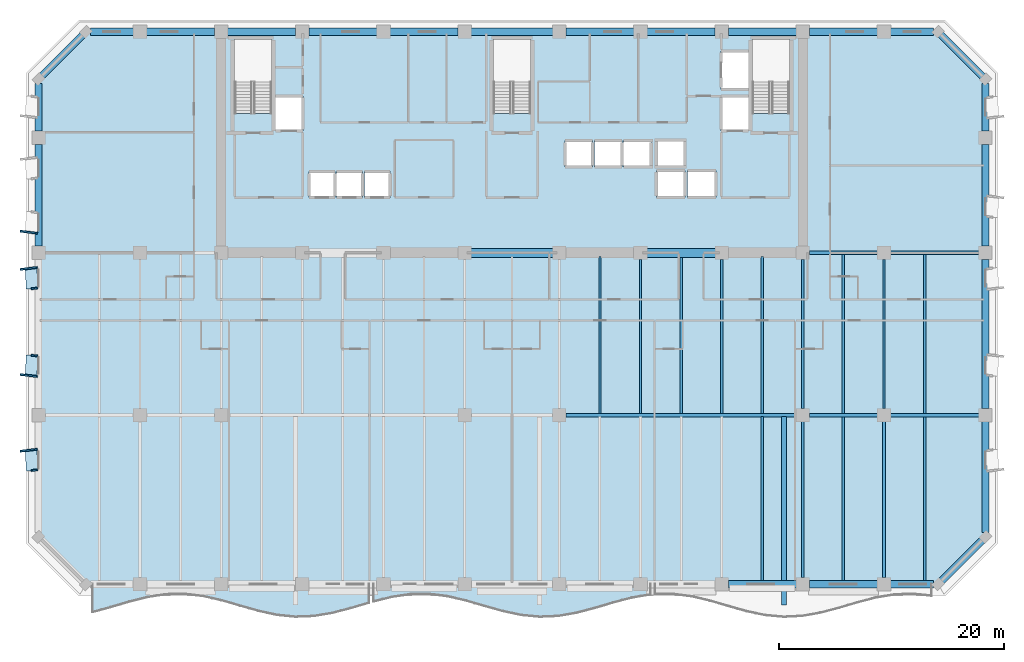
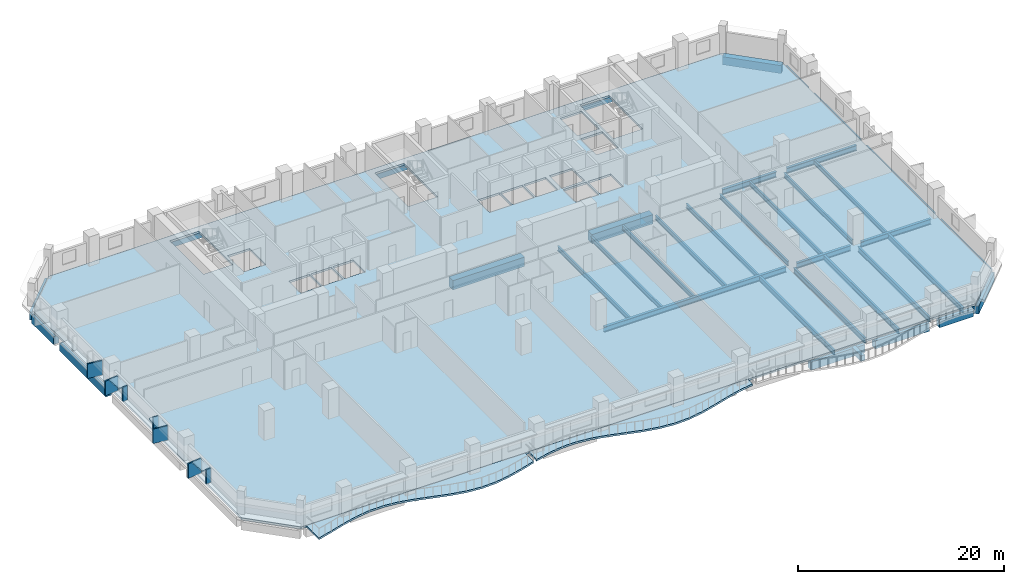
# One storey, part 2 of 15: 45 beams, 10 plates, 3 slabs.
"""IFC4 building model written with IfcOpenShell, lengths in metres."""

import ifcopenshell
import ifcopenshell.guid

model = None  # the IFC model being written
_history = None  # IfcOwnerHistory: only IFC2X3 demands one
_inside = {}  # id of a spatial element -> (the spatial element, [elements in it])
_under = {}  # id of a project, library or spatial element -> (it, [spatial elements below it])
_declared = {}  # id of a project -> (the project, [libraries it declares])
_typed = {}  # id of a type object -> (the type object, [elements of that type])
_made_of = {}  # id of a material, layer set ... -> (it, [elements and type objects made of it])


def new_model(schema):
    """Start an empty IFC model of exactly this schema.

    Asked for "IFC4X3", IfcOpenShell would pick the latest addendum, in which some entities
    have other attributes; the version numbers below select the first issue.
    IFC2X3 requires an IfcOwnerHistory on every rooted entity: one is made here for all.
    """
    global model, _history
    if schema == "IFC4X3":
        model = ifcopenshell.file(schema_version=(4, 3, 0, 0))
    else:
        model = ifcopenshell.file(schema=schema)
    _inside.clear()
    _under.clear()
    _declared.clear()
    _typed.clear()
    _made_of.clear()
    _history = None
    if model.schema == "IFC2X3":
        org = make("IfcOrganization", Name="unknown")
        user = make(
            "IfcPersonAndOrganization",
            ThePerson=make("IfcPerson", FamilyName="unknown"),
            TheOrganization=org,
        )
        app = make(
            "IfcApplication",
            ApplicationDeveloper=org,
            Version="unknown",
            ApplicationFullName="unknown",
            ApplicationIdentifier="unknown",
        )
        _history = make(
            "IfcOwnerHistory",
            OwningUser=user,
            OwningApplication=app,
            ChangeAction="ADDED",
            CreationDate=0,
        )
    return model


def make(cls, **values):
    """One entity of the class cls with the attributes given. An attribute that is None is left unset."""
    return model.create_entity(
        cls, **{name: value for name, value in values.items() if value is not None}
    )


def rooted(cls, **values):
    """An entity with a GlobalId (a new one), such as an element, a storey or a relation."""
    return make(cls, GlobalId=ifcopenshell.guid.new(), OwnerHistory=_history, **values)


def si_unit(unit_type, name, prefix=None):
    """IfcSIUnit, for example si_unit("LENGTHUNIT", "METRE", prefix="MILLI")."""
    return make("IfcSIUnit", UnitType=unit_type, Prefix=prefix, Name=name)


def assignment(units):
    """IfcUnitAssignment: the units of a project."""
    return None if units is None else make("IfcUnitAssignment", Units=units)


def point(xyz):
    """IfcCartesianPoint."""
    return None if xyz is None else make("IfcCartesianPoint", Coordinates=xyz)


def direction(xyz):
    """IfcDirection."""
    return None if xyz is None else make("IfcDirection", DirectionRatios=xyz)


def frame(location, z_axis=None, x_axis=None):
    """IfcAxis2Placement3D, a coordinate frame: its origin and axes. An axis left out is left unset."""
    return make(
        "IfcAxis2Placement3D",
        Location=point(location),
        Axis=direction(z_axis),
        RefDirection=direction(x_axis),
    )


def frame_2d(location, x_axis=None):
    """IfcAxis2Placement2D, a coordinate frame in the plane: its origin and x axis."""
    return make(
        "IfcAxis2Placement2D", Location=point(location), RefDirection=direction(x_axis)
    )


def origin():
    """The frame at (0, 0, 0) with its axes left unset."""
    return frame((0.0, 0.0, 0.0))


def origin_2d():
    """The frame at (0, 0) in the plane with its x axis left unset."""
    return frame_2d((0.0, 0.0))


def place(relative_to, where):
    """IfcLocalPlacement: puts the frame where relative to a parent placement (None: the world)."""
    return make(
        "IfcLocalPlacement", PlacementRelTo=relative_to, RelativePlacement=where
    )


def context(
    kind, dimensions, precision=None, world=None, true_north=None, identifier=None
):
    """IfcGeometricRepresentationContext, for example the 3D "Model" context."""
    return make(
        "IfcGeometricRepresentationContext",
        ContextIdentifier=identifier,
        ContextType=kind,
        CoordinateSpaceDimension=dimensions,
        Precision=precision,
        WorldCoordinateSystem=world,
        TrueNorth=true_north,
    )


def subcontext(parent, identifier, kind, view, scale=None):
    """IfcGeometricRepresentationSubContext, for example "Body" below "Model"."""
    return make(
        "IfcGeometricRepresentationSubContext",
        ContextIdentifier=identifier,
        ContextType=kind,
        ParentContext=parent,
        TargetScale=scale,
        TargetView=view,
    )


def project(units=None, contexts=None):
    """IfcProject with its units and contexts."""
    return rooted(
        "IfcProject",
        Name="project",
        RepresentationContexts=contexts,
        UnitsInContext=assignment(units),
    )


def spatial(cls, under=None, at=None, **own):
    """A site, building, storey or space (cls), placed at a placement, below another one or the project."""
    s = rooted(cls, ObjectPlacement=at, **own)
    if under is not None:
        _under.setdefault(under.id(), (under, []))[1].append(s)
    return s


def polyline(points):
    """IfcPolyline through the points."""
    return make("IfcPolyline", Points=[point(p) for p in points])


def profile(cls, at=None, kind="AREA", **sizes):
    """A parametric profile (cls). Its sizes go by their IFC names, for example OverallWidth=200.0."""
    return make(cls, ProfileType=kind, Position=at, **sizes)


def rectangle(**sizes):
    """IfcRectangleProfileDef."""
    return profile("IfcRectangleProfileDef", **sizes)


def i_section(**sizes):
    """IfcIShapeProfileDef."""
    return profile("IfcIShapeProfileDef", **sizes)


def outline(outer, holes=None, kind="AREA"):
    """IfcArbitraryClosedProfileDef: a profile drawn as a closed curve; with holes, ...WithVoids."""
    if holes is None:
        return make("IfcArbitraryClosedProfileDef", ProfileType=kind, OuterCurve=outer)
    return make(
        "IfcArbitraryProfileDefWithVoids",
        ProfileType=kind,
        OuterCurve=outer,
        InnerCurves=holes,
    )


def extrude(swept, where, along, depth):
    """IfcExtrudedAreaSolid: the profile swept, set in the frame where, extruded along a direction by depth."""
    return make(
        "IfcExtrudedAreaSolid",
        SweptArea=swept,
        Position=where,
        ExtrudedDirection=direction(along),
        Depth=depth,
    )


def shape(context_of_items, identifier, shape_type, items):
    """IfcShapeRepresentation: the items that make up one representation, for example the "Body"."""
    return make(
        "IfcShapeRepresentation",
        ContextOfItems=context_of_items,
        RepresentationIdentifier=identifier,
        RepresentationType=shape_type,
        Items=items,
    )


def material(Name=None, Category=None):
    """IfcMaterial."""
    return make("IfcMaterial", Name=Name, Category=Category)


def layer(
    of_material, thickness, ventilated=None, Name=None, Category=None, Priority=None
):
    """IfcMaterialLayer: one layer of a wall or slab, of a material (None: an air gap)."""
    return make(
        "IfcMaterialLayer",
        Material=of_material,
        LayerThickness=thickness,
        IsVentilated=ventilated,
        Name=Name,
        Category=Category,
        Priority=Priority,
    )


def layer_set(layers, Name=None):
    """IfcMaterialLayerSet."""
    return make("IfcMaterialLayerSet", MaterialLayers=layers, LayerSetName=Name)


def material_profile(
    of_material, cross_section, Name=None, Category=None, Priority=None
):
    """IfcMaterialProfile: a cross section and its material."""
    return make(
        "IfcMaterialProfile",
        Name=Name,
        Material=of_material,
        Profile=cross_section,
        Priority=Priority,
        Category=Category,
    )


def profile_set(profiles, Name=None, composite=None):
    """IfcMaterialProfileSet."""
    return make(
        "IfcMaterialProfileSet",
        Name=Name,
        MaterialProfiles=profiles,
        CompositeProfile=composite,
    )


def made_of(thing, what):
    """Note that an element or type object is made of a material, layer set ...; save() writes the relation."""
    if what is not None:
        _made_of.setdefault(what.id(), (what, []))[1].append(thing)
    return thing


def type_object(cls, material=None, **own):
    """A type object (cls), such as IfcWallType, which elements share."""
    return made_of(rooted(cls, **own), material)


def element(
    cls,
    number,
    at=None,
    inside=None,
    cuts=None,
    type_object=None,
    material=None,
    context=None,
    identifier="Body",
    shape_type=None,
    held_by="IfcProductDefinitionShape",
    body=None,
    shapes=None,
    **own,
):
    """One element of the class cls, such as IfcWall. Its Tag is "e" and its number.

    at: its placement. inside: the storey or other place that contains it. cuts: it is an
    opening in that element (IfcRelVoidsElement). A single representation is given by context,
    identifier, shape_type and body (its items); several are given by shapes. held_by: the class
    of the entity that holds the representations. save() writes the other relations.
    """
    e = rooted(cls, Tag="e%d" % number, ObjectPlacement=at, **own)
    if body is not None:
        shapes = [shape(context, identifier, shape_type, body)]
    if shapes is not None:
        e.Representation = make(held_by, Representations=shapes)
    if inside is not None:
        _inside.setdefault(inside.id(), (inside, []))[1].append(e)
    if cuts is not None:
        rooted(
            "IfcRelVoidsElement", RelatingBuildingElement=cuts, RelatedOpeningElement=e
        )
    if type_object is not None:
        _typed.setdefault(type_object.id(), (type_object, []))[1].append(e)
    return made_of(e, material)


def aggregate(whole, parts):
    """IfcRelAggregates: a whole, such as a stair, and the parts it consists of."""
    return rooted("IfcRelAggregates", RelatingObject=whole, RelatedObjects=parts)


def save(model, path):
    """Write the relations noted so far, then the file.

    IfcRelAggregates (storeys below a building ...), IfcRelContainedInSpatialStructure (elements
    in a storey), IfcRelDefinesByType, IfcRelAssociatesMaterial and IfcRelDeclares: one each for
    every whole, place, type object, material and project.
    """
    for whole, parts in _under.values():
        aggregate(whole, parts)
    for where, things in _inside.values():
        rooted(
            "IfcRelContainedInSpatialStructure",
            RelatedElements=things,
            RelatingStructure=where,
        )
    for kind, things in _typed.values():
        rooted("IfcRelDefinesByType", RelatedObjects=things, RelatingType=kind)
    for what, things in _made_of.values():
        rooted("IfcRelAssociatesMaterial", RelatedObjects=things, RelatingMaterial=what)
    for by, libraries in _declared.values():
        rooted("IfcRelDeclares", RelatingContext=by, RelatedDefinitions=libraries)
    model.write(path)


model = new_model("IFC4")

# Units and contexts
model_context = context("Model", 3, precision=1e-05, world=origin(), true_north=direction((0.0, 1.0)))
body_context = subcontext(model_context, "Body", "Model", "MODEL_VIEW")
ifc_project = project(units=[si_unit("LENGTHUNIT", "METRE"), si_unit("AREAUNIT", "SQUARE_METRE"), si_unit("VOLUMEUNIT", "CUBIC_METRE"), si_unit("PLANEANGLEUNIT", "RADIAN"), si_unit("MASSUNIT", "GRAM", prefix="KILO")], contexts=[model_context])

# Site, building, storey
site_placement = place(None, origin())
site = spatial("IfcSite", under=ifc_project, at=site_placement, CompositionType="ELEMENT")
building_placement = place(site_placement, origin())
building = spatial("IfcBuilding", under=site, at=building_placement, Name="Kaelvorn Grand Hotel", CompositionType="ELEMENT")
storey_placement = place(building_placement, frame((0.0, 0.0, 108.050048828125)))
storey = spatial("IfcBuildingStorey", under=building, at=storey_placement, Name="L25", CompositionType="ELEMENT", Elevation=108.050048828125)

# Beams
ifc_material_1 = material(Name="Steel S355", Category="steel")
ifc_material_profile_1 = material_profile(ifc_material_1, i_section(OverallWidth=0.300048828125, OverallDepth=0.64990234375, WebThickness=0.01611328125, FlangeThickness=0.031005859375, FilletRadius=0.027099609375, at=origin_2d()), Name="HEB 650")
ifc_profile_set_1 = profile_set([ifc_material_profile_1], Name="Steel S355")
beam_type_1 = type_object("IfcBeamType", Name="BM-G-HEB650-S355", PredefinedType="BEAM", material=ifc_profile_set_1)
beam_1_placement = place(storey_placement, frame((46.784912109375, 15.0, -0.56494140625), z_axis=(1.0, 0.0, 0.0), x_axis=(0.0, 1.0, 0.0)))
element("IfcBeam", 1, at=beam_1_placement, inside=storey, type_object=beam_type_1, Name="L25 Primary Spine Steel Girder G-15 05", PredefinedType="BEAM", context=body_context, shape_type="SweptSolid", body=[
    extrude(i_section(OverallWidth=0.300048828125, OverallDepth=0.64990234375, WebThickness=0.01611328125, FlangeThickness=0.031005859375, FilletRadius=0.027099609375, at=origin_2d()), origin(), (0.0, 0.0, 1.0), 20.43017578125),
])
beam_2_placement = place(storey_placement, frame((68.385009765625, 15.0, -0.56494140625), z_axis=(1.0, 0.0, 0.0), x_axis=(0.0, 1.0, 0.0)))
element("IfcBeam", 2, at=beam_2_placement, inside=storey, type_object=beam_type_1, Name="L25 Primary Spine Steel Girder G-15 06", PredefinedType="BEAM", context=body_context, shape_type="SweptSolid", body=[
    extrude(i_section(OverallWidth=0.300048828125, OverallDepth=0.64990234375, WebThickness=0.01611328125, FlangeThickness=0.031005859375, FilletRadius=0.027099609375, at=origin_2d()), origin(), (0.0, 0.0, 1.0), 6.030029296875),
])
beam_3_placement = place(storey_placement, frame((75.5849609375, 15.0, -0.56494140625), z_axis=(1.0, 0.0, 0.0), x_axis=(0.0, 1.0, 0.0)))
element("IfcBeam", 3, at=beam_3_placement, inside=storey, type_object=beam_type_1, Name="L25 Primary Spine Steel Girder G-15 07", PredefinedType="BEAM", context=body_context, shape_type="SweptSolid", body=[
    extrude(i_section(OverallWidth=0.300048828125, OverallDepth=0.64990234375, WebThickness=0.01611328125, FlangeThickness=0.031005859375, FilletRadius=0.027099609375, at=origin_2d()), origin(), (0.0, 0.0, 1.0), 7.830078125),
])
beam_4_placement = place(storey_placement, frame((68.385009765625, 29.39990234375, -0.56494140625), z_axis=(1.0, 0.0, 0.0), x_axis=(0.0, 1.0, 0.0)))
element("IfcBeam", 4, at=beam_4_placement, inside=storey, type_object=beam_type_1, Name="L25 East Core Wing Steel Girder G-29E 01", PredefinedType="BEAM", context=body_context, shape_type="SweptSolid", body=[
    extrude(i_section(OverallWidth=0.300048828125, OverallDepth=0.64990234375, WebThickness=0.01611328125, FlangeThickness=0.031005859375, FilletRadius=0.027099609375, at=origin_2d()), origin(), (0.0, 0.0, 1.0), 6.030029296875),
])
beam_5_placement = place(storey_placement, frame((75.5849609375, 29.39990234375, -0.56494140625), z_axis=(1.0, 0.0, 0.0), x_axis=(0.0, 1.0, 0.0)))
element("IfcBeam", 5, at=beam_5_placement, inside=storey, type_object=beam_type_1, Name="L25 East Core Wing Steel Girder G-29E 02", PredefinedType="BEAM", context=body_context, shape_type="SweptSolid", body=[
    extrude(i_section(OverallWidth=0.300048828125, OverallDepth=0.64990234375, WebThickness=0.01611328125, FlangeThickness=0.031005859375, FilletRadius=0.027099609375, at=origin_2d()), origin(), (0.0, 0.0, 1.0), 7.830078125),
])
ifc_material_profile_2 = material_profile(ifc_material_1, i_section(OverallWidth=0.209228515625, OverallDepth=0.533203125, WebThickness=0.010009765625, FlangeThickness=0.015625, FilletRadius=0.0126953125, at=origin_2d()), Name="UB 533x210x92")
ifc_profile_set_2 = profile_set([ifc_material_profile_2], Name="Steel S355")
beam_type_2 = type_object("IfcBeamType", Name="BM-J-UB533-S355", PredefinedType="JOIST", material=ifc_profile_set_2)
beam_6_placement = place(storey_placement, frame((49.800048828125, 15.135009765625, -0.506591796875), z_axis=(0.0, 1.0, 0.0), x_axis=(-1.0, 0.0, 0.0)))
element("IfcBeam", 6, at=beam_6_placement, inside=storey, type_object=beam_type_2, Name="L25 Composite Floor Joist JM-14", PredefinedType="JOIST", context=body_context, shape_type="SweptSolid", body=[
    extrude(i_section(OverallWidth=0.209228515625, OverallDepth=0.533203125, WebThickness=0.010009765625, FlangeThickness=0.015625, FilletRadius=0.0126953125, at=origin_2d()), origin(), (0.0, 0.0, 1.0), 13.925048828125),
])
beam_7_placement = place(storey_placement, frame((53.39990234375, 15.135009765625, -0.506591796875), z_axis=(0.0, 1.0, 0.0), x_axis=(-1.0, 0.0, 0.0)))
element("IfcBeam", 7, at=beam_7_placement, inside=storey, type_object=beam_type_2, Name="L25 Composite Floor Joist JM-15", PredefinedType="JOIST", context=body_context, shape_type="SweptSolid", body=[
    extrude(i_section(OverallWidth=0.209228515625, OverallDepth=0.533203125, WebThickness=0.010009765625, FlangeThickness=0.015625, FilletRadius=0.0126953125, at=origin_2d()), origin(), (0.0, 0.0, 1.0), 13.679931640625),
])
beam_8_placement = place(storey_placement, frame((57.0, 15.135009765625, -0.506591796875), z_axis=(0.0, 1.0, 0.0), x_axis=(-1.0, 0.0, 0.0)))
element("IfcBeam", 8, at=beam_8_placement, inside=storey, type_object=beam_type_2, Name="L25 Composite Floor Joist JM-16", PredefinedType="JOIST", context=body_context, shape_type="SweptSolid", body=[
    extrude(i_section(OverallWidth=0.209228515625, OverallDepth=0.533203125, WebThickness=0.010009765625, FlangeThickness=0.015625, FilletRadius=0.0126953125, at=origin_2d()), origin(), (0.0, 0.0, 1.0), 13.925048828125),
])
beam_9_placement = place(storey_placement, frame((60.60009765625, 15.135009765625, -0.506591796875), z_axis=(0.0, 1.0, 0.0), x_axis=(-1.0, 0.0, 0.0)))
element("IfcBeam", 9, at=beam_9_placement, inside=storey, type_object=beam_type_2, Name="L25 Composite Floor Joist JM-17", PredefinedType="JOIST", context=body_context, shape_type="SweptSolid", body=[
    extrude(i_section(OverallWidth=0.209228515625, OverallDepth=0.533203125, WebThickness=0.010009765625, FlangeThickness=0.015625, FilletRadius=0.0126953125, at=origin_2d()), origin(), (0.0, 0.0, 1.0), 13.679931640625),
])
beam_10_placement = place(storey_placement, frame((64.199951171875, 15.135009765625, -0.506591796875), z_axis=(0.0, 1.0, 0.0), x_axis=(-1.0, 0.0, 0.0)))
element("IfcBeam", 10, at=beam_10_placement, inside=storey, type_object=beam_type_2, Name="L25 Composite Floor Joist JM-18", PredefinedType="JOIST", context=body_context, shape_type="SweptSolid", body=[
    extrude(i_section(OverallWidth=0.209228515625, OverallDepth=0.533203125, WebThickness=0.010009765625, FlangeThickness=0.015625, FilletRadius=0.0126953125, at=origin_2d()), origin(), (0.0, 0.0, 1.0), 13.925048828125),
])
beam_11_placement = place(storey_placement, frame((67.800048828125, 15.5849609375, -0.506591796875), z_axis=(0.0, 1.0, 0.0), x_axis=(-1.0, 0.0, 0.0)))
element("IfcBeam", 11, at=beam_11_placement, inside=storey, type_object=beam_type_2, Name="L25 Composite Floor Joist JM-19", PredefinedType="JOIST", context=body_context, shape_type="SweptSolid", body=[
    extrude(i_section(OverallWidth=0.209228515625, OverallDepth=0.533203125, WebThickness=0.010009765625, FlangeThickness=0.015625, FilletRadius=0.0126953125, at=origin_2d()), origin(), (0.0, 0.0, 1.0), 13.22998046875),
])
beam_12_placement = place(storey_placement, frame((71.39990234375, 15.135009765625, -0.506591796875), z_axis=(0.0, 1.0, 0.0), x_axis=(-1.0, 0.0, 0.0)))
element("IfcBeam", 12, at=beam_12_placement, inside=storey, type_object=beam_type_2, Name="L25 Composite Floor Joist JM-20", PredefinedType="JOIST", context=body_context, shape_type="SweptSolid", body=[
    extrude(i_section(OverallWidth=0.209228515625, OverallDepth=0.533203125, WebThickness=0.010009765625, FlangeThickness=0.015625, FilletRadius=0.0126953125, at=origin_2d()), origin(), (0.0, 0.0, 1.0), 14.1298828125),
])
beam_13_placement = place(storey_placement, frame((75.0, 15.5849609375, -0.506591796875), z_axis=(0.0, 1.0, 0.0), x_axis=(-1.0, 0.0, 0.0)))
element("IfcBeam", 13, at=beam_13_placement, inside=storey, type_object=beam_type_2, Name="L25 Composite Floor Joist JM-21", PredefinedType="JOIST", context=body_context, shape_type="SweptSolid", body=[
    extrude(i_section(OverallWidth=0.209228515625, OverallDepth=0.533203125, WebThickness=0.010009765625, FlangeThickness=0.015625, FilletRadius=0.0126953125, at=origin_2d()), origin(), (0.0, 0.0, 1.0), 13.22998046875),
])
beam_14_placement = place(storey_placement, frame((78.60009765625, 15.135009765625, -0.506591796875), z_axis=(0.0, 1.0, 0.0), x_axis=(-1.0, 0.0, 0.0)))
element("IfcBeam", 14, at=beam_14_placement, inside=storey, type_object=beam_type_2, Name="L25 Composite Floor Joist JM-22", PredefinedType="JOIST", context=body_context, shape_type="SweptSolid", body=[
    extrude(i_section(OverallWidth=0.209228515625, OverallDepth=0.533203125, WebThickness=0.010009765625, FlangeThickness=0.015625, FilletRadius=0.0126953125, at=origin_2d()), origin(), (0.0, 0.0, 1.0), 14.1298828125),
])
ifc_material_profile_3 = material_profile(ifc_material_1, i_section(OverallWidth=0.22900390625, OverallDepth=0.6123046875, WebThickness=0.011962890625, FlangeThickness=0.01953125, FilletRadius=0.0126953125, at=origin_2d()), Name="UB 610x229x125")
ifc_profile_set_3 = profile_set([ifc_material_profile_3], Name="Steel S355")
beam_type_3 = type_object("IfcBeamType", Name="BM-J-UB610-S355", PredefinedType="JOIST", material=ifc_profile_set_3)
beam_15_placement = place(storey_placement, frame((64.199951171875, 0.31005859375, -0.546142578125), z_axis=(0.0, 1.0, 0.0), x_axis=(-1.0, 0.0, 0.0)))
element("IfcBeam", 15, at=beam_15_placement, inside=storey, type_object=beam_type_3, Name="L25 Composite Floor Joist JS-18", PredefinedType="JOIST", context=body_context, shape_type="SweptSolid", body=[
    extrude(i_section(OverallWidth=0.22900390625, OverallDepth=0.6123046875, WebThickness=0.011962890625, FlangeThickness=0.01953125, FilletRadius=0.0126953125, at=origin_2d()), origin(), (0.0, 0.0, 1.0), 14.554931640625),
])
beam_16_placement = place(storey_placement, frame((67.800048828125, 0.5849609375, -0.546142578125), z_axis=(0.0, 1.0, 0.0), x_axis=(-1.0, 0.0, 0.0)))
element("IfcBeam", 16, at=beam_16_placement, inside=storey, type_object=beam_type_3, Name="L25 Composite Floor Joist JS-19", PredefinedType="JOIST", context=body_context, shape_type="SweptSolid", body=[
    extrude(i_section(OverallWidth=0.22900390625, OverallDepth=0.6123046875, WebThickness=0.011962890625, FlangeThickness=0.01953125, FilletRadius=0.0126953125, at=origin_2d()), origin(), (0.0, 0.0, 1.0), 13.830078125),
])
beam_17_placement = place(storey_placement, frame((71.39990234375, 0.31005859375, -0.546142578125), z_axis=(0.0, 1.0, 0.0), x_axis=(-1.0, 0.0, 0.0)))
element("IfcBeam", 17, at=beam_17_placement, inside=storey, type_object=beam_type_3, Name="L25 Composite Floor Joist JS-20", PredefinedType="JOIST", context=body_context, shape_type="SweptSolid", body=[
    extrude(i_section(OverallWidth=0.22900390625, OverallDepth=0.6123046875, WebThickness=0.011962890625, FlangeThickness=0.01953125, FilletRadius=0.0126953125, at=origin_2d()), origin(), (0.0, 0.0, 1.0), 14.554931640625),
])
beam_18_placement = place(storey_placement, frame((75.0, 0.5849609375, -0.546142578125), z_axis=(0.0, 1.0, 0.0), x_axis=(-1.0, 0.0, 0.0)))
element("IfcBeam", 18, at=beam_18_placement, inside=storey, type_object=beam_type_3, Name="L25 Composite Floor Joist JS-21", PredefinedType="JOIST", context=body_context, shape_type="SweptSolid", body=[
    extrude(i_section(OverallWidth=0.22900390625, OverallDepth=0.6123046875, WebThickness=0.011962890625, FlangeThickness=0.01953125, FilletRadius=0.0126953125, at=origin_2d()), origin(), (0.0, 0.0, 1.0), 13.830078125),
])
beam_19_placement = place(storey_placement, frame((78.60009765625, 0.31005859375, -0.546142578125), z_axis=(0.0, 1.0, 0.0), x_axis=(-1.0, 0.0, 0.0)))
element("IfcBeam", 19, at=beam_19_placement, inside=storey, type_object=beam_type_3, Name="L25 Composite Floor Joist JS-22", PredefinedType="JOIST", context=body_context, shape_type="SweptSolid", body=[
    extrude(i_section(OverallWidth=0.22900390625, OverallDepth=0.6123046875, WebThickness=0.011962890625, FlangeThickness=0.01953125, FilletRadius=0.0126953125, at=origin_2d()), origin(), (0.0, 0.0, 1.0), 14.554931640625),
])
ifc_material_2 = material(Name="Concrete C60/75", Category="concrete")
ifc_material_profile_4 = material_profile(ifc_material_2, rectangle(XDim=0.800048828125, YDim=1.10009765625, at=origin_2d()), Name="RC LINTEL 800x1100")
ifc_profile_set_4 = profile_set([ifc_material_profile_4], Name="Concrete C60/75")
beam_type_4 = type_object("IfcBeamType", Name="BM-LIN-800x1100-C60", PredefinedType="LINTEL", material=ifc_profile_set_4)
beam_20_placement = place(storey_placement, frame((37.97998046875, 29.39990234375, -0.7900390625), z_axis=(1.0, 0.0, 0.0), x_axis=(0.0, 1.0, 0.0)))
element("IfcBeam", 20, at=beam_20_placement, inside=storey, type_object=beam_type_4, Name="L25 Rear-Core Coupling Lintel Beam CB1-02", PredefinedType="LINTEL", context=body_context, shape_type="SweptSolid", body=[
    extrude(rectangle(XDim=0.800048828125, YDim=1.10009765625, at=origin_2d()), origin(), (0.0, 0.0, 1.0), 8.0400390625),
])
beam_21_placement = place(storey_placement, frame((53.580078125, 29.39990234375, -0.7900390625), z_axis=(1.0, 0.0, 0.0), x_axis=(0.0, 1.0, 0.0)))
element("IfcBeam", 21, at=beam_21_placement, inside=storey, type_object=beam_type_4, Name="L25 Rear-Core Coupling Lintel Beam CB1-03", PredefinedType="LINTEL", context=body_context, shape_type="SweptSolid", body=[
    extrude(rectangle(XDim=0.800048828125, YDim=1.10009765625, at=origin_2d()), origin(), (0.0, 0.0, 1.0), 6.83984375),
])
ifc_material_3 = material(Name="Concrete C40/50", Category="concrete")
ifc_material_profile_5 = material_profile(ifc_material_3, rectangle(XDim=0.449951171875, YDim=0.64990234375, at=origin_2d()), Name="RC RIB 450x650")
ifc_profile_set_5 = profile_set([ifc_material_profile_5], Name="Concrete C40/50")
beam_type_5 = type_object("IfcBeamType", Name="BM-RIB-450x650-C40", PredefinedType="SPANDREL", material=ifc_profile_set_5)
beam_22_placement = place(storey_placement, frame((66.115478515625, -1.85009765625, -0.545166015625), z_axis=(0.0, 1.0, 0.0), x_axis=(-1.0, 0.0, 0.0)))
element("IfcBeam", 22, at=beam_22_placement, inside=storey, type_object=beam_type_5, Name="L25 Cantilevered Balcony Back-Span Rib RB1-3", PredefinedType="SPANDREL", context=body_context, shape_type="SweptSolid", body=[
    extrude(rectangle(XDim=0.449951171875, YDim=0.64990234375, at=origin_2d()), origin(), (0.0, 0.0, 1.0), 16.715087890625),
])
ifc_material_profile_6 = material_profile(ifc_material_2, rectangle(XDim=0.64990234375, YDim=0.949951171875, at=origin_2d()), Name="RC SPANDREL 650x950")
ifc_profile_set_6 = profile_set([ifc_material_profile_6], Name="Concrete C60/75")
beam_type_6 = type_object("IfcBeamType", Name="BM-SP-650x950-C60", PredefinedType="SPANDREL", material=ifc_profile_set_6)
for number, where, z_axis, x_axis, name in (
    (23, (61.18505859375, 0.0, -0.715087890625), (1.0, 0.0, 0.0), (0.0, 1.0, 0.0), "L25 South Perimeter Spandrel 09"),
    (24, (68.385009765625, 0.0, -0.715087890625), (1.0, 0.0, 0.0), (0.0, 1.0, 0.0), "L25 South Perimeter Spandrel 10"),
):
    element("IfcBeam", number, at=place(storey_placement, frame(where, z_axis=z_axis, x_axis=x_axis)), inside=storey, type_object=beam_type_6, Name=name, PredefinedType="SPANDREL", context=body_context, shape_type="SweptSolid", body=[
        extrude(rectangle(XDim=0.64990234375, YDim=0.949951171875, at=origin_2d()), origin(), (0.0, 0.0, 1.0), 6.030029296875),
    ])
for number, where, z_axis, x_axis, name in (
    (25, (75.5849609375, 0.0, -0.715087890625), (1.0, 0.0, 0.0), (0.0, 1.0, 0.0), "L25 South Perimeter Spandrel 11"),
    (26, (4.60498046875, 49.0, -0.715087890625), (1.0, 0.0, 0.0), (0.0, 1.0, 0.0), "L25 North Perimeter Spandrel 01"),
):
    element("IfcBeam", number, at=place(storey_placement, frame(where, z_axis=z_axis, x_axis=x_axis)), inside=storey, type_object=beam_type_6, Name=name, PredefinedType="SPANDREL", context=body_context, shape_type="SweptSolid", body=[
        extrude(rectangle(XDim=0.64990234375, YDim=0.949951171875, at=origin_2d()), origin(), (0.0, 0.0, 1.0), 3.81005859375),
    ])
for number, where, z_axis, x_axis, name in (
    (27, (9.5849609375, 49.0, -0.715087890625), (1.0, 0.0, 0.0), (0.0, 1.0, 0.0), "L25 North Perimeter Spandrel 02"),
    (28, (16.784912109375, 49.0, -0.715087890625), (1.0, 0.0, 0.0), (0.0, 1.0, 0.0), "L25 North Perimeter Spandrel 03"),
):
    element("IfcBeam", number, at=place(storey_placement, frame(where, z_axis=z_axis, x_axis=x_axis)), inside=storey, type_object=beam_type_6, Name=name, PredefinedType="SPANDREL", context=body_context, shape_type="SweptSolid", body=[
        extrude(rectangle(XDim=0.64990234375, YDim=0.949951171875, at=origin_2d()), origin(), (0.0, 0.0, 1.0), 6.030029296875),
    ])
beam_23_placement = place(storey_placement, frame((23.985107421875, 49.0, -0.715087890625), z_axis=(1.0, 0.0, 0.0), x_axis=(0.0, 1.0, 0.0)))
element("IfcBeam", 29, at=beam_23_placement, inside=storey, type_object=beam_type_6, Name="L25 North Perimeter Spandrel 04", PredefinedType="SPANDREL", context=body_context, shape_type="SweptSolid", body=[
    extrude(rectangle(XDim=0.64990234375, YDim=0.949951171875, at=origin_2d()), origin(), (0.0, 0.0, 1.0), 6.02978515625),
])
beam_24_placement = place(storey_placement, frame((31.18505859375, 49.0, -0.715087890625), z_axis=(1.0, 0.0, 0.0), x_axis=(0.0, 1.0, 0.0)))
element("IfcBeam", 30, at=beam_24_placement, inside=storey, type_object=beam_type_6, Name="L25 North Perimeter Spandrel 05", PredefinedType="SPANDREL", context=body_context, shape_type="SweptSolid", body=[
    extrude(rectangle(XDim=0.64990234375, YDim=0.949951171875, at=origin_2d()), origin(), (0.0, 0.0, 1.0), 6.030029296875),
])
beam_25_placement = place(storey_placement, frame((38.385009765625, 49.0, -0.715087890625), z_axis=(1.0, 0.0, 0.0), x_axis=(0.0, 1.0, 0.0)))
element("IfcBeam", 31, at=beam_25_placement, inside=storey, type_object=beam_type_6, Name="L25 North Perimeter Spandrel 06", PredefinedType="SPANDREL", context=body_context, shape_type="SweptSolid", body=[
    extrude(rectangle(XDim=0.64990234375, YDim=0.949951171875, at=origin_2d()), origin(), (0.0, 0.0, 1.0), 7.22998046875),
])
beam_26_placement = place(storey_placement, frame((46.784912109375, 49.0, -0.715087890625), z_axis=(1.0, 0.0, 0.0), x_axis=(0.0, 1.0, 0.0)))
element("IfcBeam", 32, at=beam_26_placement, inside=storey, type_object=beam_type_6, Name="L25 North Perimeter Spandrel 07", PredefinedType="SPANDREL", context=body_context, shape_type="SweptSolid", body=[
    extrude(rectangle(XDim=0.64990234375, YDim=0.949951171875, at=origin_2d()), origin(), (0.0, 0.0, 1.0), 6.030029296875),
])
beam_27_placement = place(storey_placement, frame((53.985107421875, 49.0, -0.715087890625), z_axis=(1.0, 0.0, 0.0), x_axis=(0.0, 1.0, 0.0)))
element("IfcBeam", 33, at=beam_27_placement, inside=storey, type_object=beam_type_6, Name="L25 North Perimeter Spandrel 08", PredefinedType="SPANDREL", context=body_context, shape_type="SweptSolid", body=[
    extrude(rectangle(XDim=0.64990234375, YDim=0.949951171875, at=origin_2d()), origin(), (0.0, 0.0, 1.0), 6.02978515625),
])
for number, where, z_axis, x_axis, name in (
    (34, (61.18505859375, 49.0, -0.715087890625), (1.0, 0.0, 0.0), (0.0, 1.0, 0.0), "L25 North Perimeter Spandrel 09"),
    (35, (68.385009765625, 49.0, -0.715087890625), (1.0, 0.0, 0.0), (0.0, 1.0, 0.0), "L25 North Perimeter Spandrel 10"),
):
    element("IfcBeam", number, at=place(storey_placement, frame(where, z_axis=z_axis, x_axis=x_axis)), inside=storey, type_object=beam_type_6, Name=name, PredefinedType="SPANDREL", context=body_context, shape_type="SweptSolid", body=[
        extrude(rectangle(XDim=0.64990234375, YDim=0.949951171875, at=origin_2d()), origin(), (0.0, 0.0, 1.0), 6.030029296875),
    ])
beam_28_placement = place(storey_placement, frame((75.5849609375, 49.0, -0.715087890625), z_axis=(1.0, 0.0, 0.0), x_axis=(0.0, 1.0, 0.0)))
element("IfcBeam", 36, at=beam_28_placement, inside=storey, type_object=beam_type_6, Name="L25 North Perimeter Spandrel 11", PredefinedType="SPANDREL", context=body_context, shape_type="SweptSolid", body=[
    extrude(rectangle(XDim=0.64990234375, YDim=0.949951171875, at=origin_2d()), origin(), (0.0, 0.0, 1.0), 3.81005859375),
])
beam_29_placement = place(storey_placement, frame((0.0, 29.985107421875, -0.715087890625), z_axis=(0.0, 1.0, 0.0), x_axis=(-1.0, 0.0, 0.0)))
element("IfcBeam", 37, at=beam_29_placement, inside=storey, type_object=beam_type_6, Name="L25 West Perimeter Spandrel 03", PredefinedType="SPANDREL", context=body_context, shape_type="SweptSolid", body=[
    extrude(rectangle(XDim=0.64990234375, YDim=0.949951171875, at=origin_2d()), origin(), (0.0, 0.0, 1.0), 9.02978515625),
])
beam_30_placement = place(storey_placement, frame((0.0, 40.18505859375, -0.715087890625), z_axis=(0.0, 1.0, 0.0), x_axis=(-1.0, 0.0, 0.0)))
element("IfcBeam", 38, at=beam_30_placement, inside=storey, type_object=beam_type_6, Name="L25 West Perimeter Spandrel 04", PredefinedType="SPANDREL", context=body_context, shape_type="SweptSolid", body=[
    extrude(rectangle(XDim=0.64990234375, YDim=0.949951171875, at=origin_2d()), origin(), (0.0, 0.0, 1.0), 4.2099609375),
])
beam_31_placement = place(storey_placement, frame((84.0, 4.60498046875, -0.715087890625), z_axis=(0.0, 1.0, 0.0), x_axis=(-1.0, 0.0, 0.0)))
element("IfcBeam", 39, at=beam_31_placement, inside=storey, type_object=beam_type_6, Name="L25 East Perimeter Spandrel 01", PredefinedType="SPANDREL", context=body_context, shape_type="SweptSolid", body=[
    extrude(rectangle(XDim=0.64990234375, YDim=0.949951171875, at=origin_2d()), origin(), (0.0, 0.0, 1.0), 9.81005859375),
])
beam_32_placement = place(storey_placement, frame((84.0, 15.5849609375, -0.715087890625), z_axis=(0.0, 1.0, 0.0), x_axis=(-1.0, 0.0, 0.0)))
element("IfcBeam", 40, at=beam_32_placement, inside=storey, type_object=beam_type_6, Name="L25 East Perimeter Spandrel 02", PredefinedType="SPANDREL", context=body_context, shape_type="SweptSolid", body=[
    extrude(rectangle(XDim=0.64990234375, YDim=0.949951171875, at=origin_2d()), origin(), (0.0, 0.0, 1.0), 13.22998046875),
])
beam_33_placement = place(storey_placement, frame((84.0, 29.985107421875, -0.715087890625), z_axis=(0.0, 1.0, 0.0), x_axis=(-1.0, 0.0, 0.0)))
element("IfcBeam", 41, at=beam_33_placement, inside=storey, type_object=beam_type_6, Name="L25 East Perimeter Spandrel 03", PredefinedType="SPANDREL", context=body_context, shape_type="SweptSolid", body=[
    extrude(rectangle(XDim=0.64990234375, YDim=0.949951171875, at=origin_2d()), origin(), (0.0, 0.0, 1.0), 9.02978515625),
])
beam_34_placement = place(storey_placement, frame((84.0, 40.18505859375, -0.715087890625), z_axis=(0.0, 1.0, 0.0), x_axis=(-1.0, 0.0, 0.0)))
element("IfcBeam", 42, at=beam_34_placement, inside=storey, type_object=beam_type_6, Name="L25 East Perimeter Spandrel 04", PredefinedType="SPANDREL", context=body_context, shape_type="SweptSolid", body=[
    extrude(rectangle(XDim=0.64990234375, YDim=0.949951171875, at=origin_2d()), origin(), (0.0, 0.0, 1.0), 4.2099609375),
])
for number, where, z_axis, x_axis, name in (
    (43, (79.800048828125, 0.0, -0.715087890625), (0.707106781187, 0.707106781187, 0.0), (-0.707106781187, 0.707106781187, 0.0), "L25 Chamfer Spandrel Beam 1"),
    (44, (84.0, 44.800048828125, -0.715087890625), (-0.707106781187, 0.707106781187, 0.0), (-0.707106781187, -0.707106781187, 0.0), "L25 Chamfer Spandrel Beam 2"),
    (45, (4.199951171875, 49.0, -0.715087890625), (-0.707106781187, -0.707106781187, 0.0), (0.707106781187, -0.707106781187, 0.0), "L25 Chamfer Spandrel Beam 3"),
):
    element("IfcBeam", number, at=place(storey_placement, frame(where, z_axis=z_axis, x_axis=x_axis)), inside=storey, type_object=beam_type_6, Name=name, PredefinedType="SPANDREL", context=body_context, shape_type="SweptSolid", body=[
        extrude(rectangle(XDim=0.64990234375, YDim=0.949951171875, at=origin_2d()), origin(), (0.0, 0.0, 1.0), 5.939697265625),
    ])

# Plates
ifc_material_4 = material(Name="Precast concrete C45/55", Category="concrete")
ifc_layer_1 = layer(ifc_material_4, 0.159912109375)
ifc_layer_set_1 = layer_set([ifc_layer_1], Name="Precast concrete C45/55")
plate_type_1 = type_object("IfcPlateType", Name="PL-FRAME-DEEP-1550", PredefinedType="USERDEFINED", material=ifc_layer_set_1)
for number, where, z_axis, x_axis, name in (
    (46, (-0.864990234375, 11.889892578125, 0.68994140625), (0.0, 0.0, 1.0), (-0.121869343405, 0.992546151641, 0.0), "L25 Tilted Precast Window Frame Fin R-W01"),
    (47, (-0.864990234375, 18.510009765625, 0.68994140625), (0.0, 0.0, 1.0), (0.121869343405, 0.992546151641, 0.0), "L25 Tilted Precast Window Frame Fin L-W02"),
    (48, (-0.864990234375, 28.014892578125, 0.68994140625), (0.0, 0.0, 1.0), (-0.121869343405, 0.992546151641, 0.0), "L25 Tilted Precast Window Frame Fin R-W03"),
    (49, (-0.864990234375, 31.22509765625, 0.68994140625), (0.0, 0.0, 1.0), (0.121869343405, 0.992546151641, 0.0), "L25 Tilted Precast Window Frame Fin L-W04"),
):
    element("IfcPlate", number, at=place(storey_placement, frame(where, z_axis=z_axis, x_axis=x_axis)), inside=storey, type_object=plate_type_1, Name=name, ObjectType="FLANGE_PLATE", PredefinedType="USERDEFINED", context=body_context, shape_type="SweptSolid", body=[
        extrude(rectangle(XDim=0.159912109375, YDim=1.550048828125, at=origin_2d()), origin(), (0.0, 0.0, 1.0), 1.719970703125),
    ])
ifc_layer_2 = layer(ifc_material_4, 0.159912109375)
ifc_layer_set_2 = layer_set([ifc_layer_2], Name="Precast concrete C45/55")
plate_type_2 = type_object("IfcPlateType", Name="PL-FRAME-HEAD-1050", PredefinedType="USERDEFINED", material=ifc_layer_set_2)
for number, where, z_axis, x_axis, name in (
    (50, (-0.614990234375, 11.0, 2.25), (0.0, 0.0, 1.0), (-0.054950179912, 0.998489097451, 0.0), "L25 Precast Window Frame Head Hood H-W01"),
    (51, (-0.614990234375, 19.39990234375, 2.25), (0.0, 0.0, 1.0), (0.054950179912, 0.998489097451, 0.0), "L25 Precast Window Frame Head Hood H-W02"),
    (52, (-0.614990234375, 27.125, 2.25), (0.0, 0.0, 1.0), (-0.054950179912, 0.998489097451, 0.0), "L25 Precast Window Frame Head Hood H-W03"),
):
    element("IfcPlate", number, at=place(storey_placement, frame(where, z_axis=z_axis, x_axis=x_axis)), inside=storey, type_object=plate_type_2, Name=name, ObjectType="FLANGE_PLATE", PredefinedType="USERDEFINED", context=body_context, shape_type="SweptSolid", body=[
        extrude(rectangle(XDim=1.860107421875, YDim=1.050048828125, at=origin_2d()), origin(), (0.0, 0.0, 1.0), 0.159912109375),
    ])
ifc_layer_3 = layer(ifc_material_4, 0.159912109375)
ifc_layer_set_3 = layer_set([ifc_layer_3], Name="Precast concrete C45/55")
plate_type_3 = type_object("IfcPlateType", Name="PL-FRAME-SHAL-550", PredefinedType="USERDEFINED", material=ifc_layer_set_3)
for number, where, z_axis, x_axis, name in (
    (53, (-0.364990234375, 10.110107421875, 0.68994140625), (0.0, 0.0, 1.0), (-0.121869343405, 0.992546151641, 0.0), "L25 Tilted Precast Window Frame Fin L-W01"),
    (54, (-0.364990234375, 20.2900390625, 0.68994140625), (0.0, 0.0, 1.0), (0.121869343405, 0.992546151641, 0.0), "L25 Tilted Precast Window Frame Fin R-W02"),
    (55, (-0.364990234375, 26.235107421875, 0.68994140625), (0.0, 0.0, 1.0), (-0.121869343405, 0.992546151641, 0.0), "L25 Tilted Precast Window Frame Fin L-W03"),
):
    element("IfcPlate", number, at=place(storey_placement, frame(where, z_axis=z_axis, x_axis=x_axis)), inside=storey, type_object=plate_type_3, Name=name, ObjectType="FLANGE_PLATE", PredefinedType="USERDEFINED", context=body_context, shape_type="SweptSolid", body=[
        extrude(rectangle(XDim=0.159912109375, YDim=0.550048828125, at=origin_2d()), origin(), (0.0, 0.0, 1.0), 1.719970703125),
    ])

# Slabs
ifc_layer_4 = layer(ifc_material_3, 0.219970703125)
ifc_layer_set_4 = layer_set([ifc_layer_4], Name="Concrete C40/50")
slab_type_1 = type_object("IfcSlabType", Name="SLB-BALC-220-C40", PredefinedType="FLOOR", material=ifc_layer_set_4)
slab_1_placement = place(storey_placement, frame((0.0, 0.0, -0.219970703125)))
element("IfcSlab", 56, at=slab_1_placement, inside=storey, type_object=slab_type_1, Name="L25 Scalloped Wave Balcony Slab 1", PredefinedType="FLOOR", context=body_context, shape_type="SweptSolid", body=[
    extrude(outline(polyline([(4.800048828125, -2.4775390625), (6.435546875, -2.03076171875), (8.071044921875, -1.549560546875), (9.706787109375, -1.140380859375), (11.34228515625, -0.89453125), (12.977783203125, -0.866455078125), (14.61328125, -1.0625), (16.248779296875, -1.438720703125), (17.884521484375, -1.912109375), (19.52001953125, -2.377197265625), (21.155517578125, -2.730712890625), (22.791015625, -2.89404296875), (24.4267578125, -2.831298828125), (26.062255859375, -2.555908203125), (27.69775390625, -2.12939453125), (29.333251953125, -1.646240234375), (29.333251953125, 0.0), (4.800048828125, 0.0), (4.800048828125, -2.4775390625)])), origin(), (0.0, 0.0, 1.0), 0.219970703125),
])
slab_2_placement = place(storey_placement, frame((0.0, 0.0, -0.219970703125)))
element("IfcSlab", 57, at=slab_2_placement, inside=storey, type_object=slab_type_1, Name="L25 Scalloped Wave Balcony Slab 2", PredefinedType="FLOOR", context=body_context, shape_type="SweptSolid", body=[
    extrude(outline(polyline([(29.7333984375, -1.531982421875), (31.368896484375, -1.127685546875), (33.00439453125, -0.889404296875), (34.639892578125, -0.869873046875), (36.275634765625, -1.073974609375), (37.9111328125, -1.45556640625), (39.546630859375, -1.9306640625), (41.18212890625, -2.393310546875), (42.81787109375, -2.74072265625), (44.453369140625, -2.89599609375), (46.0888671875, -2.824462890625), (47.724365234375, -2.5419921875), (49.360107421875, -2.111328125), (50.99560546875, -1.62841796875), (52.631103515625, -1.199951171875), (54.2666015625, -0.921630859375), (54.2666015625, 0.0), (29.7333984375, 0.0), (29.7333984375, -1.531982421875)])), origin(), (0.0, 0.0, 1.0), 0.219970703125),
])
ifc_layer_5 = layer(ifc_material_3, 0.239990234375)
ifc_layer_set_5 = layer_set([ifc_layer_5], Name="Concrete C40/50")
slab_type_2 = type_object("IfcSlabType", Name="SLB-FLR-240-C40", PredefinedType="FLOOR", material=ifc_layer_set_5)
slab_3_placement = place(storey_placement, frame((0.0, 0.0, -0.239990234375)))
element("IfcSlab", 58, at=slab_3_placement, inside=storey, type_object=slab_type_2, Name="L25 Indoor Suspended Floor Slab", PredefinedType="FLOOR", context=body_context, shape_type="SweptSolid", body=[
    extrude(outline(polyline([(4.199951171875, 0.0), (79.800048828125, 0.0), (84.0, 4.199951171875), (84.0, 44.800048828125), (79.800048828125, 49.0), (4.199951171875, 49.0), (0.0, 44.800048828125), (0.0, 4.199951171875), (4.199951171875, 0.0)]), holes=[polyline([(17.39990234375, 41.760009765625), (17.39990234375, 48.300048828125), (20.679931640625, 48.300048828125), (20.679931640625, 41.760009765625), (17.39990234375, 41.760009765625)]), polyline([(40.360107421875, 41.760009765625), (40.360107421875, 48.300048828125), (43.639892578125, 48.300048828125), (43.639892578125, 41.760009765625), (40.360107421875, 41.760009765625)]), polyline([(63.320068359375, 41.760009765625), (63.320068359375, 48.300048828125), (66.60009765625, 48.300048828125), (66.60009765625, 41.760009765625), (63.320068359375, 41.760009765625)]), polyline([(24.0, 34.300048828125), (24.0, 36.60009765625), (26.300048828125, 36.60009765625), (26.300048828125, 34.300048828125), (24.0, 34.300048828125)]), polyline([(26.449951171875, 34.300048828125), (26.449951171875, 36.60009765625), (28.75, 36.60009765625), (28.75, 34.300048828125), (26.449951171875, 34.300048828125)]), polyline([(28.89990234375, 34.300048828125), (28.89990234375, 36.60009765625), (31.199951171875, 36.60009765625), (31.199951171875, 34.300048828125), (28.89990234375, 34.300048828125)]), polyline([(46.699951171875, 37.0), (46.699951171875, 39.35009765625), (49.14990234375, 39.35009765625), (49.14990234375, 37.0), (46.699951171875, 37.0)]), polyline([(49.300048828125, 37.0), (49.300048828125, 39.35009765625), (51.75, 39.35009765625), (51.75, 37.0), (49.300048828125, 37.0)]), polyline([(51.89990234375, 37.0), (51.89990234375, 39.35009765625), (54.35009765625, 39.35009765625), (54.35009765625, 37.0), (51.89990234375, 37.0)]), polyline([(54.800048828125, 34.300048828125), (54.800048828125, 36.699951171875), (57.35009765625, 36.699951171875), (57.35009765625, 34.300048828125), (54.800048828125, 34.300048828125)]), polyline([(57.550048828125, 34.300048828125), (57.550048828125, 36.699951171875), (60.10009765625, 36.699951171875), (60.10009765625, 34.300048828125), (57.550048828125, 34.300048828125)]), polyline([(54.800048828125, 37.0), (54.800048828125, 39.39990234375), (57.35009765625, 39.39990234375), (57.35009765625, 37.0), (54.800048828125, 37.0)]), polyline([(21.0, 40.199951171875), (21.0, 43.300048828125), (23.449951171875, 43.300048828125), (23.449951171875, 40.199951171875), (21.0, 40.199951171875)]), polyline([(60.550048828125, 40.199951171875), (60.550048828125, 43.300048828125), (63.0, 43.300048828125), (63.0, 40.199951171875), (60.550048828125, 40.199951171875)]), polyline([(60.550048828125, 43.89990234375), (60.550048828125, 47.300048828125), (63.0, 47.300048828125), (63.0, 43.89990234375), (60.550048828125, 43.89990234375)])]), origin(), (0.0, 0.0, 1.0), 0.239990234375),
])

save(model, "model.ifc")
